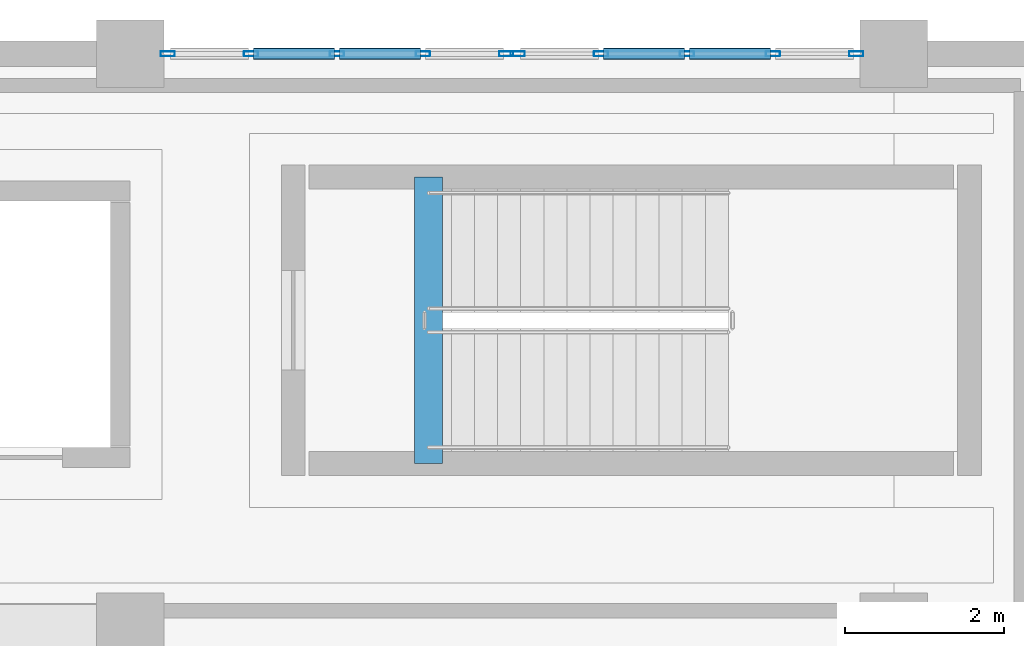
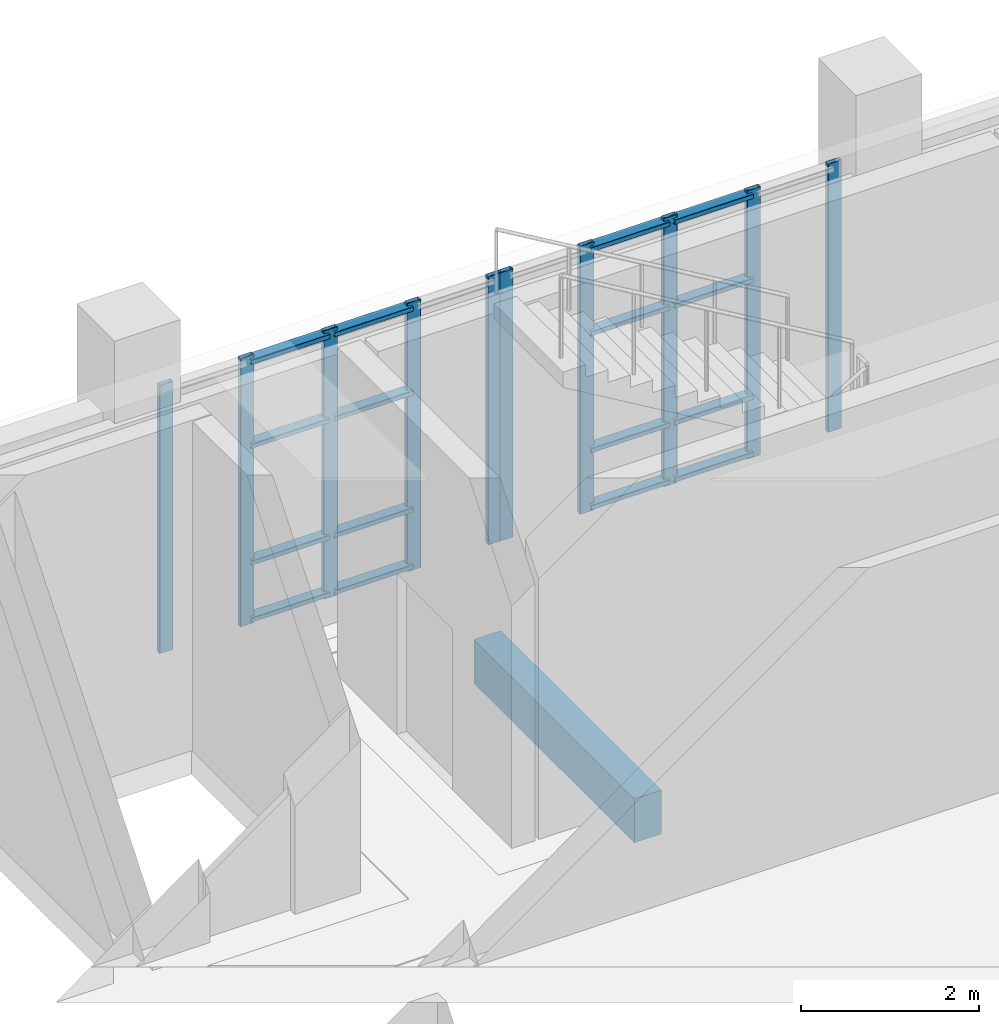
# One storey, part 34 of 97: 26 members, 1 beam, 2 elements without a shape of their own.
"""IFC4 building model written with IfcOpenShell, lengths in metres."""

from ifc_helpers import new_model, si_unit, direction, frame, origin, origin_2d, place, context, subcontext, project, spatial, rectangle, hollow_rectangle, extrude, material, layer, layer_set, material_profile, profile_set, type_object, element, aggregate, save


model = new_model("IFC4")

# Units and contexts
model_context = context("Model", 3, precision=1e-05, world=origin(), true_north=direction((0.0, 1.0)))
body_context = subcontext(model_context, "Body", "Model", "MODEL_VIEW")
ifc_project = project(units=[si_unit("LENGTHUNIT", "METRE"), si_unit("AREAUNIT", "SQUARE_METRE"), si_unit("VOLUMEUNIT", "CUBIC_METRE"), si_unit("PLANEANGLEUNIT", "RADIAN"), si_unit("MASSUNIT", "GRAM", prefix="KILO")], contexts=[model_context])

# Site, building, storey
site_placement = place(None, origin())
site = spatial("IfcSite", under=ifc_project, at=site_placement, CompositionType="ELEMENT")
building_placement = place(site_placement, origin())
building = spatial("IfcBuilding", under=site, at=building_placement, Name="Kisaragi Civic Commons", CompositionType="ELEMENT")
storey_placement = place(building_placement, origin())
storey = spatial("IfcBuildingStorey", under=building, at=storey_placement, Name="L00", CompositionType="ELEMENT", Elevation=0.0)

# Curtain wall, members
ifc_material_1 = material(Name="Thermally broken anodized aluminium and low-E double glazing", Category="aluminium")
ifc_layer = layer(ifc_material_1, 0.179931640625, Name="Thermally broken anodized aluminium and low-E double glazing", Category="aluminium")
ifc_layer_set = layer_set([ifc_layer], Name="Thermally broken anodized aluminium and low-E double glazing")
curtain_wall_type = type_object("IfcCurtainWallType", Name="CW-01", PredefinedType="NOTDEFINED", material=ifc_layer_set)
curtain_wall_1_placement = place(storey_placement, origin())
curtain_wall_1 = element("IfcCurtainWall", 1, at=curtain_wall_1_placement, inside=storey, type_object=curtain_wall_type, Name="L00 curtain wall CW-01 CW-V4-L00-047", PredefinedType="NOTDEFINED")
ifc_material_profile_1 = material_profile(ifc_material_1, hollow_rectangle(XDim=0.06494140625, YDim=0.179931640625, WallThickness=0.00439453125, InnerFilletRadius=0.00439453125, OuterFilletRadius=0.009033203125, at=origin_2d()), Name="CWM-65x180x4.5", Category="aluminium")
ifc_profile_set_1 = profile_set([ifc_material_profile_1], Name="Thermally broken anodized aluminium and low-E double glazing")
member_type_1 = type_object("IfcMemberType", Name="CWM-02", PredefinedType="MULLION", material=ifc_profile_set_1)
member_1_placement = place(storey_placement, frame((114.472412109375, 118.800048828125, 0.0), z_axis=(0.0, 0.0, 1.0), x_axis=(0.0, 1.0, 0.0)))
member_1 = element("IfcMember", 2, at=member_1_placement, type_object=member_type_1, Name="CW-01 mullion 1", PredefinedType="MULLION", context=body_context, shape_type="SweptSolid", body=[
    extrude(hollow_rectangle(XDim=0.06494140625, YDim=0.179931640625, WallThickness=0.00439453125, InnerFilletRadius=0.00439453125, OuterFilletRadius=0.009033203125, at=origin_2d()), origin(), (0.0, 0.0, 1.0), 3.669921875),
])
member_2_placement = place(storey_placement, frame((115.52001953125, 118.800048828125, 0.0), z_axis=(0.0, 0.0, 1.0), x_axis=(0.0, 1.0, 0.0)))
member_2 = element("IfcMember", 3, at=member_2_placement, type_object=member_type_1, Name="CW-01 mullion 2", PredefinedType="MULLION", context=body_context, shape_type="SweptSolid", body=[
    extrude(hollow_rectangle(XDim=0.06494140625, YDim=0.179931640625, WallThickness=0.00439453125, InnerFilletRadius=0.00439453125, OuterFilletRadius=0.009033203125, at=origin_2d()), origin(), (0.0, 0.0, 1.0), 3.669921875),
])
member_3_placement = place(storey_placement, frame((116.60009765625, 118.800048828125, 0.0), z_axis=(0.0, 0.0, 1.0), x_axis=(0.0, 1.0, 0.0)))
member_3 = element("IfcMember", 4, at=member_3_placement, type_object=member_type_1, Name="CW-01 mullion 3", PredefinedType="MULLION", context=body_context, shape_type="SweptSolid", body=[
    extrude(hollow_rectangle(XDim=0.06494140625, YDim=0.179931640625, WallThickness=0.00439453125, InnerFilletRadius=0.00439453125, OuterFilletRadius=0.009033203125, at=origin_2d()), origin(), (0.0, 0.0, 1.0), 3.669921875),
])
member_4_placement = place(storey_placement, frame((117.679931640625, 118.800048828125, 0.0), z_axis=(0.0, 0.0, 1.0), x_axis=(0.0, 1.0, 0.0)))
member_4 = element("IfcMember", 5, at=member_4_placement, type_object=member_type_1, Name="CW-01 mullion 4", PredefinedType="MULLION", context=body_context, shape_type="SweptSolid", body=[
    extrude(hollow_rectangle(XDim=0.06494140625, YDim=0.179931640625, WallThickness=0.00439453125, InnerFilletRadius=0.00439453125, OuterFilletRadius=0.009033203125, at=origin_2d()), origin(), (0.0, 0.0, 1.0), 3.669921875),
])
member_5_placement = place(storey_placement, frame((118.7275390625, 118.800048828125, 0.0), z_axis=(0.0, 0.0, 1.0), x_axis=(0.0, 1.0, 0.0)))
member_5 = element("IfcMember", 6, at=member_5_placement, type_object=member_type_1, Name="CW-01 mullion 5", PredefinedType="MULLION", context=body_context, shape_type="SweptSolid", body=[
    extrude(hollow_rectangle(XDim=0.06494140625, YDim=0.179931640625, WallThickness=0.00439453125, InnerFilletRadius=0.00439453125, OuterFilletRadius=0.009033203125, at=origin_2d()), origin(), (0.0, 0.0, 1.0), 3.669921875),
])

curtain_wall_2_placement = place(storey_placement, origin())
curtain_wall_2 = element("IfcCurtainWall", 7, at=curtain_wall_2_placement, inside=storey, type_object=curtain_wall_type, Name="L00 curtain wall CW-01 CW-V4-L00-048", PredefinedType="NOTDEFINED")
member_6_placement = place(storey_placement, frame((118.87255859375, 118.800048828125, 0.0), z_axis=(0.0, 0.0, 1.0), x_axis=(0.0, 1.0, 0.0)))
member_6 = element("IfcMember", 8, at=member_6_placement, type_object=member_type_1, Name="CW-01 mullion 1", PredefinedType="MULLION", context=body_context, shape_type="SweptSolid", body=[
    extrude(hollow_rectangle(XDim=0.06494140625, YDim=0.179931640625, WallThickness=0.00439453125, InnerFilletRadius=0.00439453125, OuterFilletRadius=0.009033203125, at=origin_2d()), origin(), (0.0, 0.0, 1.0), 3.669921875),
])
member_7_placement = place(storey_placement, frame((119.919921875, 118.800048828125, 0.0), z_axis=(0.0, 0.0, 1.0), x_axis=(0.0, 1.0, 0.0)))
member_7 = element("IfcMember", 9, at=member_7_placement, type_object=member_type_1, Name="CW-01 mullion 2", PredefinedType="MULLION", context=body_context, shape_type="SweptSolid", body=[
    extrude(hollow_rectangle(XDim=0.06494140625, YDim=0.179931640625, WallThickness=0.00439453125, InnerFilletRadius=0.00439453125, OuterFilletRadius=0.009033203125, at=origin_2d()), origin(), (0.0, 0.0, 1.0), 3.669921875),
])
member_8_placement = place(storey_placement, frame((121.0, 118.800048828125, 0.0), z_axis=(0.0, 0.0, 1.0), x_axis=(0.0, 1.0, 0.0)))
member_8 = element("IfcMember", 10, at=member_8_placement, type_object=member_type_1, Name="CW-01 mullion 3", PredefinedType="MULLION", context=body_context, shape_type="SweptSolid", body=[
    extrude(hollow_rectangle(XDim=0.06494140625, YDim=0.179931640625, WallThickness=0.00439453125, InnerFilletRadius=0.00439453125, OuterFilletRadius=0.009033203125, at=origin_2d()), origin(), (0.0, 0.0, 1.0), 3.669921875),
])
member_9_placement = place(storey_placement, frame((122.080078125, 118.800048828125, 0.0), z_axis=(0.0, 0.0, 1.0), x_axis=(0.0, 1.0, 0.0)))
member_9 = element("IfcMember", 11, at=member_9_placement, type_object=member_type_1, Name="CW-01 mullion 4", PredefinedType="MULLION", context=body_context, shape_type="SweptSolid", body=[
    extrude(hollow_rectangle(XDim=0.06494140625, YDim=0.179931640625, WallThickness=0.00439453125, InnerFilletRadius=0.00439453125, OuterFilletRadius=0.009033203125, at=origin_2d()), origin(), (0.0, 0.0, 1.0), 3.669921875),
])
member_10_placement = place(storey_placement, frame((123.12744140625, 118.800048828125, 0.0), z_axis=(0.0, 0.0, 1.0), x_axis=(0.0, 1.0, 0.0)))
member_10 = element("IfcMember", 12, at=member_10_placement, type_object=member_type_1, Name="CW-01 mullion 5", PredefinedType="MULLION", context=body_context, shape_type="SweptSolid", body=[
    extrude(hollow_rectangle(XDim=0.06494140625, YDim=0.179931640625, WallThickness=0.00439453125, InnerFilletRadius=0.00439453125, OuterFilletRadius=0.009033203125, at=origin_2d()), origin(), (0.0, 0.0, 1.0), 3.669921875),
])

# Member
ifc_material_profile_2 = material_profile(ifc_material_1, hollow_rectangle(XDim=0.139892578125, YDim=0.06494140625, WallThickness=0.00439453125, InnerFilletRadius=0.00439453125, OuterFilletRadius=0.009033203125, at=origin_2d()), Name="CWT-65x140x4.5", Category="aluminium")
ifc_profile_set_2 = profile_set([ifc_material_profile_2], Name="Thermally broken anodized aluminium and low-E double glazing")
member_type_2 = type_object("IfcMemberType", Name="CWT-02", PredefinedType="USERDEFINED", material=ifc_profile_set_2)
member_11_placement = place(storey_placement, frame((115.552490234375, 118.800048828125, 0.070068359375), z_axis=(1.0, 0.0, 0.0), x_axis=(0.0, 1.0, 0.0)))
member_11 = element("IfcMember", 13, at=member_11_placement, type_object=member_type_2, Name="CW-01 transom 2.1", ObjectType="TRANSOM", PredefinedType="USERDEFINED", context=body_context, shape_type="SweptSolid", body=[
    extrude(hollow_rectangle(XDim=0.139892578125, YDim=0.06494140625, WallThickness=0.00439453125, InnerFilletRadius=0.00439453125, OuterFilletRadius=0.009033203125, at=origin_2d()), origin(), (0.0, 0.0, 1.0), 1.014892578125),
])

member_12_placement = place(storey_placement, frame((115.552490234375, 118.800048828125, 0.85009765625), z_axis=(1.0, 0.0, 0.0), x_axis=(0.0, 1.0, 0.0)))
member_12 = element("IfcMember", 14, at=member_12_placement, type_object=member_type_2, Name="CW-01 transom 2.2", ObjectType="TRANSOM", PredefinedType="USERDEFINED", context=body_context, shape_type="SweptSolid", body=[
    extrude(hollow_rectangle(XDim=0.139892578125, YDim=0.06494140625, WallThickness=0.00439453125, InnerFilletRadius=0.00439453125, OuterFilletRadius=0.009033203125, at=origin_2d()), origin(), (0.0, 0.0, 1.0), 1.014892578125),
])

member_13_placement = place(storey_placement, frame((115.552490234375, 118.800048828125, 2.449951171875), z_axis=(1.0, 0.0, 0.0), x_axis=(0.0, 1.0, 0.0)))
member_13 = element("IfcMember", 15, at=member_13_placement, type_object=member_type_2, Name="CW-01 transom 2.3", ObjectType="TRANSOM", PredefinedType="USERDEFINED", context=body_context, shape_type="SweptSolid", body=[
    extrude(hollow_rectangle(XDim=0.139892578125, YDim=0.06494140625, WallThickness=0.00439453125, InnerFilletRadius=0.00439453125, OuterFilletRadius=0.009033203125, at=origin_2d()), origin(), (0.0, 0.0, 1.0), 1.014892578125),
])

member_14_placement = place(storey_placement, frame((115.552490234375, 118.800048828125, 3.60009765625), z_axis=(1.0, 0.0, 0.0), x_axis=(0.0, 1.0, 0.0)))
member_14 = element("IfcMember", 16, at=member_14_placement, type_object=member_type_2, Name="CW-01 transom 2.4", ObjectType="TRANSOM", PredefinedType="USERDEFINED", context=body_context, shape_type="SweptSolid", body=[
    extrude(hollow_rectangle(XDim=0.139892578125, YDim=0.06494140625, WallThickness=0.00439453125, InnerFilletRadius=0.00439453125, OuterFilletRadius=0.009033203125, at=origin_2d()), origin(), (0.0, 0.0, 1.0), 1.014892578125),
])

member_15_placement = place(storey_placement, frame((116.632568359375, 118.800048828125, 0.070068359375), z_axis=(1.0, 0.0, 0.0), x_axis=(0.0, 1.0, 0.0)))
member_15 = element("IfcMember", 17, at=member_15_placement, type_object=member_type_2, Name="CW-01 transom 3.1", ObjectType="TRANSOM", PredefinedType="USERDEFINED", context=body_context, shape_type="SweptSolid", body=[
    extrude(hollow_rectangle(XDim=0.139892578125, YDim=0.06494140625, WallThickness=0.00439453125, InnerFilletRadius=0.00439453125, OuterFilletRadius=0.009033203125, at=origin_2d()), origin(), (0.0, 0.0, 1.0), 1.014892578125),
])

member_16_placement = place(storey_placement, frame((116.632568359375, 118.800048828125, 0.85009765625), z_axis=(1.0, 0.0, 0.0), x_axis=(0.0, 1.0, 0.0)))
member_16 = element("IfcMember", 18, at=member_16_placement, type_object=member_type_2, Name="CW-01 transom 3.2", ObjectType="TRANSOM", PredefinedType="USERDEFINED", context=body_context, shape_type="SweptSolid", body=[
    extrude(hollow_rectangle(XDim=0.139892578125, YDim=0.06494140625, WallThickness=0.00439453125, InnerFilletRadius=0.00439453125, OuterFilletRadius=0.009033203125, at=origin_2d()), origin(), (0.0, 0.0, 1.0), 1.014892578125),
])

member_17_placement = place(storey_placement, frame((116.632568359375, 118.800048828125, 2.449951171875), z_axis=(1.0, 0.0, 0.0), x_axis=(0.0, 1.0, 0.0)))
member_17 = element("IfcMember", 19, at=member_17_placement, type_object=member_type_2, Name="CW-01 transom 3.3", ObjectType="TRANSOM", PredefinedType="USERDEFINED", context=body_context, shape_type="SweptSolid", body=[
    extrude(hollow_rectangle(XDim=0.139892578125, YDim=0.06494140625, WallThickness=0.00439453125, InnerFilletRadius=0.00439453125, OuterFilletRadius=0.009033203125, at=origin_2d()), origin(), (0.0, 0.0, 1.0), 1.014892578125),
])

member_18_placement = place(storey_placement, frame((116.632568359375, 118.800048828125, 3.60009765625), z_axis=(1.0, 0.0, 0.0), x_axis=(0.0, 1.0, 0.0)))
member_18 = element("IfcMember", 20, at=member_18_placement, type_object=member_type_2, Name="CW-01 transom 3.4", ObjectType="TRANSOM", PredefinedType="USERDEFINED", context=body_context, shape_type="SweptSolid", body=[
    extrude(hollow_rectangle(XDim=0.139892578125, YDim=0.06494140625, WallThickness=0.00439453125, InnerFilletRadius=0.00439453125, OuterFilletRadius=0.009033203125, at=origin_2d()), origin(), (0.0, 0.0, 1.0), 1.014892578125),
])

aggregate(curtain_wall_1, [member_1, member_2, member_3, member_4, member_5, member_11, member_12, member_13, member_14, member_15, member_16, member_17, member_18])

member_19_placement = place(storey_placement, frame((119.952392578125, 118.800048828125, 0.070068359375), z_axis=(1.0, 0.0, 0.0), x_axis=(0.0, 1.0, 0.0)))
member_19 = element("IfcMember", 21, at=member_19_placement, type_object=member_type_2, Name="CW-01 transom 2.1", ObjectType="TRANSOM", PredefinedType="USERDEFINED", context=body_context, shape_type="SweptSolid", body=[
    extrude(hollow_rectangle(XDim=0.139892578125, YDim=0.06494140625, WallThickness=0.00439453125, InnerFilletRadius=0.00439453125, OuterFilletRadius=0.009033203125, at=origin_2d()), origin(), (0.0, 0.0, 1.0), 1.01513671875),
])

member_20_placement = place(storey_placement, frame((119.952392578125, 118.800048828125, 0.85009765625), z_axis=(1.0, 0.0, 0.0), x_axis=(0.0, 1.0, 0.0)))
member_20 = element("IfcMember", 22, at=member_20_placement, type_object=member_type_2, Name="CW-01 transom 2.2", ObjectType="TRANSOM", PredefinedType="USERDEFINED", context=body_context, shape_type="SweptSolid", body=[
    extrude(hollow_rectangle(XDim=0.139892578125, YDim=0.06494140625, WallThickness=0.00439453125, InnerFilletRadius=0.00439453125, OuterFilletRadius=0.009033203125, at=origin_2d()), origin(), (0.0, 0.0, 1.0), 1.01513671875),
])

member_21_placement = place(storey_placement, frame((119.952392578125, 118.800048828125, 2.449951171875), z_axis=(1.0, 0.0, 0.0), x_axis=(0.0, 1.0, 0.0)))
member_21 = element("IfcMember", 23, at=member_21_placement, type_object=member_type_2, Name="CW-01 transom 2.3", ObjectType="TRANSOM", PredefinedType="USERDEFINED", context=body_context, shape_type="SweptSolid", body=[
    extrude(hollow_rectangle(XDim=0.139892578125, YDim=0.06494140625, WallThickness=0.00439453125, InnerFilletRadius=0.00439453125, OuterFilletRadius=0.009033203125, at=origin_2d()), origin(), (0.0, 0.0, 1.0), 1.01513671875),
])

member_22_placement = place(storey_placement, frame((119.952392578125, 118.800048828125, 3.60009765625), z_axis=(1.0, 0.0, 0.0), x_axis=(0.0, 1.0, 0.0)))
member_22 = element("IfcMember", 24, at=member_22_placement, type_object=member_type_2, Name="CW-01 transom 2.4", ObjectType="TRANSOM", PredefinedType="USERDEFINED", context=body_context, shape_type="SweptSolid", body=[
    extrude(hollow_rectangle(XDim=0.139892578125, YDim=0.06494140625, WallThickness=0.00439453125, InnerFilletRadius=0.00439453125, OuterFilletRadius=0.009033203125, at=origin_2d()), origin(), (0.0, 0.0, 1.0), 1.01513671875),
])

member_23_placement = place(storey_placement, frame((121.032470703125, 118.800048828125, 0.070068359375), z_axis=(1.0, 0.0, 0.0), x_axis=(0.0, 1.0, 0.0)))
member_23 = element("IfcMember", 25, at=member_23_placement, type_object=member_type_2, Name="CW-01 transom 3.1", ObjectType="TRANSOM", PredefinedType="USERDEFINED", context=body_context, shape_type="SweptSolid", body=[
    extrude(hollow_rectangle(XDim=0.139892578125, YDim=0.06494140625, WallThickness=0.00439453125, InnerFilletRadius=0.00439453125, OuterFilletRadius=0.009033203125, at=origin_2d()), origin(), (0.0, 0.0, 1.0), 1.01513671875),
])

member_24_placement = place(storey_placement, frame((121.032470703125, 118.800048828125, 0.85009765625), z_axis=(1.0, 0.0, 0.0), x_axis=(0.0, 1.0, 0.0)))
member_24 = element("IfcMember", 26, at=member_24_placement, type_object=member_type_2, Name="CW-01 transom 3.2", ObjectType="TRANSOM", PredefinedType="USERDEFINED", context=body_context, shape_type="SweptSolid", body=[
    extrude(hollow_rectangle(XDim=0.139892578125, YDim=0.06494140625, WallThickness=0.00439453125, InnerFilletRadius=0.00439453125, OuterFilletRadius=0.009033203125, at=origin_2d()), origin(), (0.0, 0.0, 1.0), 1.01513671875),
])

member_25_placement = place(storey_placement, frame((121.032470703125, 118.800048828125, 2.449951171875), z_axis=(1.0, 0.0, 0.0), x_axis=(0.0, 1.0, 0.0)))
member_25 = element("IfcMember", 27, at=member_25_placement, type_object=member_type_2, Name="CW-01 transom 3.3", ObjectType="TRANSOM", PredefinedType="USERDEFINED", context=body_context, shape_type="SweptSolid", body=[
    extrude(hollow_rectangle(XDim=0.139892578125, YDim=0.06494140625, WallThickness=0.00439453125, InnerFilletRadius=0.00439453125, OuterFilletRadius=0.009033203125, at=origin_2d()), origin(), (0.0, 0.0, 1.0), 1.01513671875),
])

member_26_placement = place(storey_placement, frame((121.032470703125, 118.800048828125, 3.60009765625), z_axis=(1.0, 0.0, 0.0), x_axis=(0.0, 1.0, 0.0)))
member_26 = element("IfcMember", 28, at=member_26_placement, type_object=member_type_2, Name="CW-01 transom 3.4", ObjectType="TRANSOM", PredefinedType="USERDEFINED", context=body_context, shape_type="SweptSolid", body=[
    extrude(hollow_rectangle(XDim=0.139892578125, YDim=0.06494140625, WallThickness=0.00439453125, InnerFilletRadius=0.00439453125, OuterFilletRadius=0.009033203125, at=origin_2d()), origin(), (0.0, 0.0, 1.0), 1.01513671875),
])

aggregate(curtain_wall_2, [member_6, member_7, member_8, member_9, member_10, member_19, member_20, member_21, member_22, member_23, member_24, member_25, member_26])

# Beam
ifc_material_2 = material(Name="Concrete Fc30", Category="concrete")
ifc_material_profile_3 = material_profile(ifc_material_2, rectangle(XDim=0.35009765625, YDim=0.60009765625, at=origin_2d()), Name="RC-350x600", Category="concrete")
ifc_profile_set_3 = profile_set([ifc_material_profile_3], Name="Concrete Fc30")
beam_type = type_object("IfcBeamType", Name="G-14", PredefinedType="BEAM", material=ifc_profile_set_3)
beam_placement = place(storey_placement, frame((117.75, 113.64990234375, -0.300048828125), z_axis=(0.0, 1.0, 0.0), x_axis=(-1.0, 0.0, 0.0)))
element("IfcBeam", 29, at=beam_placement, inside=storey, type_object=beam_type, Name="ST-L2 L00 stair landing trimmer beam", PredefinedType="BEAM", context=body_context, shape_type="SweptSolid", body=[
    extrude(rectangle(XDim=0.35009765625, YDim=0.60009765625, at=origin_2d()), origin(), (0.0, 0.0, 1.0), 3.60009765625),
])

save(model, "model.ifc")
